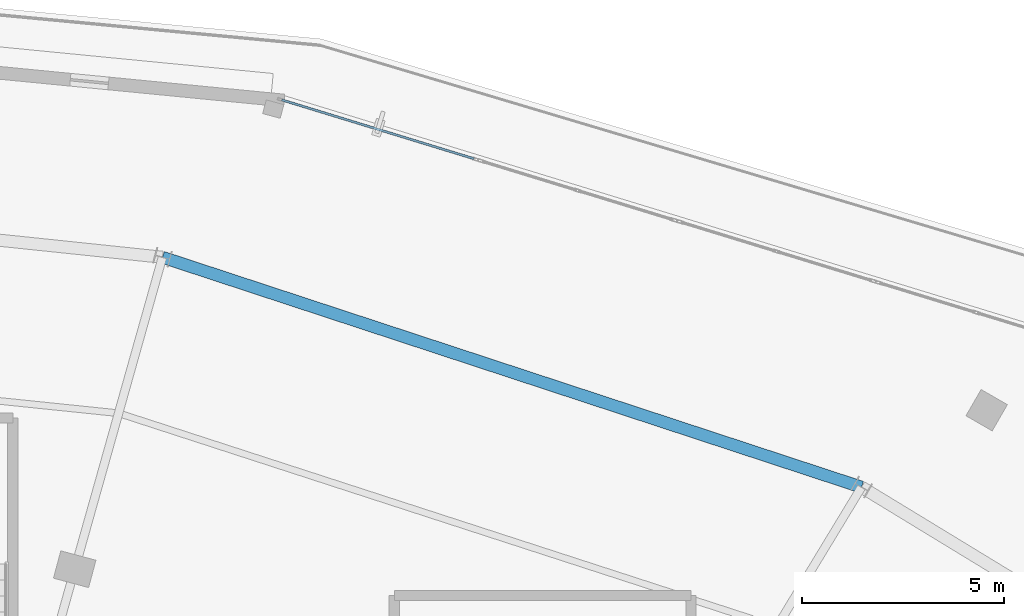
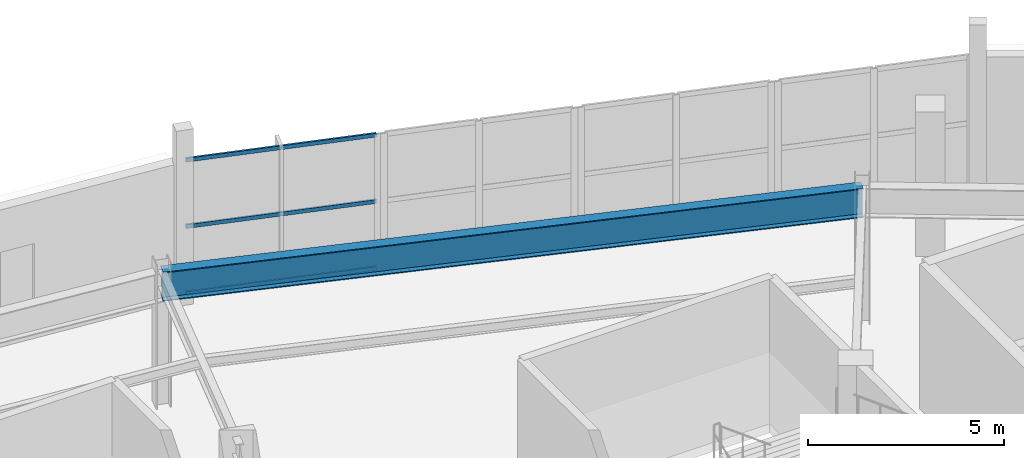
# One storey, part 55 of 123: 3 members, 1 beam, 1 element without a shape of its own.
"""IFC4 building model written with IfcOpenShell, lengths in metres."""

import ifcopenshell
import ifcopenshell.guid

model = None  # the IFC model being written
_history = None  # IfcOwnerHistory: only IFC2X3 demands one
_inside = {}  # id of a spatial element -> (the spatial element, [elements in it])
_under = {}  # id of a project, library or spatial element -> (it, [spatial elements below it])
_declared = {}  # id of a project -> (the project, [libraries it declares])
_typed = {}  # id of a type object -> (the type object, [elements of that type])
_made_of = {}  # id of a material, layer set ... -> (it, [elements and type objects made of it])


def new_model(schema):
    """Start an empty IFC model of exactly this schema.

    Asked for "IFC4X3", IfcOpenShell would pick the latest addendum, in which some entities
    have other attributes; the version numbers below select the first issue.
    IFC2X3 requires an IfcOwnerHistory on every rooted entity: one is made here for all.
    """
    global model, _history
    if schema == "IFC4X3":
        model = ifcopenshell.file(schema_version=(4, 3, 0, 0))
    else:
        model = ifcopenshell.file(schema=schema)
    _inside.clear()
    _under.clear()
    _declared.clear()
    _typed.clear()
    _made_of.clear()
    _history = None
    if model.schema == "IFC2X3":
        org = make("IfcOrganization", Name="unknown")
        user = make(
            "IfcPersonAndOrganization",
            ThePerson=make("IfcPerson", FamilyName="unknown"),
            TheOrganization=org,
        )
        app = make(
            "IfcApplication",
            ApplicationDeveloper=org,
            Version="unknown",
            ApplicationFullName="unknown",
            ApplicationIdentifier="unknown",
        )
        _history = make(
            "IfcOwnerHistory",
            OwningUser=user,
            OwningApplication=app,
            ChangeAction="ADDED",
            CreationDate=0,
        )
    return model


def make(cls, **values):
    """One entity of the class cls with the attributes given. An attribute that is None is left unset."""
    return model.create_entity(
        cls, **{name: value for name, value in values.items() if value is not None}
    )


def rooted(cls, **values):
    """An entity with a GlobalId (a new one), such as an element, a storey or a relation."""
    return make(cls, GlobalId=ifcopenshell.guid.new(), OwnerHistory=_history, **values)


def si_unit(unit_type, name, prefix=None):
    """IfcSIUnit, for example si_unit("LENGTHUNIT", "METRE", prefix="MILLI")."""
    return make("IfcSIUnit", UnitType=unit_type, Prefix=prefix, Name=name)


def assignment(units):
    """IfcUnitAssignment: the units of a project."""
    return None if units is None else make("IfcUnitAssignment", Units=units)


def point(xyz):
    """IfcCartesianPoint."""
    return None if xyz is None else make("IfcCartesianPoint", Coordinates=xyz)


def direction(xyz):
    """IfcDirection."""
    return None if xyz is None else make("IfcDirection", DirectionRatios=xyz)


def frame(location, z_axis=None, x_axis=None):
    """IfcAxis2Placement3D, a coordinate frame: its origin and axes. An axis left out is left unset."""
    return make(
        "IfcAxis2Placement3D",
        Location=point(location),
        Axis=direction(z_axis),
        RefDirection=direction(x_axis),
    )


def frame_2d(location, x_axis=None):
    """IfcAxis2Placement2D, a coordinate frame in the plane: its origin and x axis."""
    return make(
        "IfcAxis2Placement2D", Location=point(location), RefDirection=direction(x_axis)
    )


def origin():
    """The frame at (0, 0, 0) with its axes left unset."""
    return frame((0.0, 0.0, 0.0))


def origin_2d():
    """The frame at (0, 0) in the plane with its x axis left unset."""
    return frame_2d((0.0, 0.0))


def place(relative_to, where):
    """IfcLocalPlacement: puts the frame where relative to a parent placement (None: the world)."""
    return make(
        "IfcLocalPlacement", PlacementRelTo=relative_to, RelativePlacement=where
    )


def context(
    kind, dimensions, precision=None, world=None, true_north=None, identifier=None
):
    """IfcGeometricRepresentationContext, for example the 3D "Model" context."""
    return make(
        "IfcGeometricRepresentationContext",
        ContextIdentifier=identifier,
        ContextType=kind,
        CoordinateSpaceDimension=dimensions,
        Precision=precision,
        WorldCoordinateSystem=world,
        TrueNorth=true_north,
    )


def subcontext(parent, identifier, kind, view, scale=None):
    """IfcGeometricRepresentationSubContext, for example "Body" below "Model"."""
    return make(
        "IfcGeometricRepresentationSubContext",
        ContextIdentifier=identifier,
        ContextType=kind,
        ParentContext=parent,
        TargetScale=scale,
        TargetView=view,
    )


def project(units=None, contexts=None):
    """IfcProject with its units and contexts."""
    return rooted(
        "IfcProject",
        Name="project",
        RepresentationContexts=contexts,
        UnitsInContext=assignment(units),
    )


def spatial(cls, under=None, at=None, **own):
    """A site, building, storey or space (cls), placed at a placement, below another one or the project."""
    s = rooted(cls, ObjectPlacement=at, **own)
    if under is not None:
        _under.setdefault(under.id(), (under, []))[1].append(s)
    return s


def profile(cls, at=None, kind="AREA", **sizes):
    """A parametric profile (cls). Its sizes go by their IFC names, for example OverallWidth=200.0."""
    return make(cls, ProfileType=kind, Position=at, **sizes)


def hollow_rectangle(**sizes):
    """IfcRectangleHollowProfileDef."""
    return profile("IfcRectangleHollowProfileDef", **sizes)


def i_section(**sizes):
    """IfcIShapeProfileDef."""
    return profile("IfcIShapeProfileDef", **sizes)


def extrude(swept, where, along, depth):
    """IfcExtrudedAreaSolid: the profile swept, set in the frame where, extruded along a direction by depth."""
    return make(
        "IfcExtrudedAreaSolid",
        SweptArea=swept,
        Position=where,
        ExtrudedDirection=direction(along),
        Depth=depth,
    )


def shape(context_of_items, identifier, shape_type, items):
    """IfcShapeRepresentation: the items that make up one representation, for example the "Body"."""
    return make(
        "IfcShapeRepresentation",
        ContextOfItems=context_of_items,
        RepresentationIdentifier=identifier,
        RepresentationType=shape_type,
        Items=items,
    )


def material(Name=None, Category=None):
    """IfcMaterial."""
    return make("IfcMaterial", Name=Name, Category=Category)


def layer(
    of_material, thickness, ventilated=None, Name=None, Category=None, Priority=None
):
    """IfcMaterialLayer: one layer of a wall or slab, of a material (None: an air gap)."""
    return make(
        "IfcMaterialLayer",
        Material=of_material,
        LayerThickness=thickness,
        IsVentilated=ventilated,
        Name=Name,
        Category=Category,
        Priority=Priority,
    )


def layer_set(layers, Name=None):
    """IfcMaterialLayerSet."""
    return make("IfcMaterialLayerSet", MaterialLayers=layers, LayerSetName=Name)


def material_profile(
    of_material, cross_section, Name=None, Category=None, Priority=None
):
    """IfcMaterialProfile: a cross section and its material."""
    return make(
        "IfcMaterialProfile",
        Name=Name,
        Material=of_material,
        Profile=cross_section,
        Priority=Priority,
        Category=Category,
    )


def profile_set(profiles, Name=None, composite=None):
    """IfcMaterialProfileSet."""
    return make(
        "IfcMaterialProfileSet",
        Name=Name,
        MaterialProfiles=profiles,
        CompositeProfile=composite,
    )


def made_of(thing, what):
    """Note that an element or type object is made of a material, layer set ...; save() writes the relation."""
    if what is not None:
        _made_of.setdefault(what.id(), (what, []))[1].append(thing)
    return thing


def type_object(cls, material=None, **own):
    """A type object (cls), such as IfcWallType, which elements share."""
    return made_of(rooted(cls, **own), material)


def element(
    cls,
    number,
    at=None,
    inside=None,
    cuts=None,
    type_object=None,
    material=None,
    context=None,
    identifier="Body",
    shape_type=None,
    held_by="IfcProductDefinitionShape",
    body=None,
    shapes=None,
    **own,
):
    """One element of the class cls, such as IfcWall. Its Tag is "e" and its number.

    at: its placement. inside: the storey or other place that contains it. cuts: it is an
    opening in that element (IfcRelVoidsElement). A single representation is given by context,
    identifier, shape_type and body (its items); several are given by shapes. held_by: the class
    of the entity that holds the representations. save() writes the other relations.
    """
    e = rooted(cls, Tag="e%d" % number, ObjectPlacement=at, **own)
    if body is not None:
        shapes = [shape(context, identifier, shape_type, body)]
    if shapes is not None:
        e.Representation = make(held_by, Representations=shapes)
    if inside is not None:
        _inside.setdefault(inside.id(), (inside, []))[1].append(e)
    if cuts is not None:
        rooted(
            "IfcRelVoidsElement", RelatingBuildingElement=cuts, RelatedOpeningElement=e
        )
    if type_object is not None:
        _typed.setdefault(type_object.id(), (type_object, []))[1].append(e)
    return made_of(e, material)


def aggregate(whole, parts):
    """IfcRelAggregates: a whole, such as a stair, and the parts it consists of."""
    return rooted("IfcRelAggregates", RelatingObject=whole, RelatedObjects=parts)


def save(model, path):
    """Write the relations noted so far, then the file.

    IfcRelAggregates (storeys below a building ...), IfcRelContainedInSpatialStructure (elements
    in a storey), IfcRelDefinesByType, IfcRelAssociatesMaterial and IfcRelDeclares: one each for
    every whole, place, type object, material and project.
    """
    for whole, parts in _under.values():
        aggregate(whole, parts)
    for where, things in _inside.values():
        rooted(
            "IfcRelContainedInSpatialStructure",
            RelatedElements=things,
            RelatingStructure=where,
        )
    for kind, things in _typed.values():
        rooted("IfcRelDefinesByType", RelatedObjects=things, RelatingType=kind)
    for what, things in _made_of.values():
        rooted("IfcRelAssociatesMaterial", RelatedObjects=things, RelatingMaterial=what)
    for by, libraries in _declared.values():
        rooted("IfcRelDeclares", RelatingContext=by, RelatedDefinitions=libraries)
    model.write(path)


model = new_model("IFC4")

# Units and contexts
model_context = context("Model", 3, precision=1e-05, world=origin(), true_north=direction((0.0, 1.0)))
body_context = subcontext(model_context, "Body", "Model", "MODEL_VIEW")
ifc_project = project(units=[si_unit("LENGTHUNIT", "METRE"), si_unit("AREAUNIT", "SQUARE_METRE"), si_unit("VOLUMEUNIT", "CUBIC_METRE"), si_unit("PLANEANGLEUNIT", "RADIAN"), si_unit("MASSUNIT", "GRAM", prefix="KILO")], contexts=[model_context])

# Site, building, storey
site_placement = place(None, origin())
site = spatial("IfcSite", under=ifc_project, at=site_placement, CompositionType="ELEMENT")
building_placement = place(site_placement, origin())
building = spatial("IfcBuilding", under=site, at=building_placement, Name="Kalgoora Escarpment Arena", CompositionType="ELEMENT")
storey_placement = place(building_placement, frame((0.0, 0.0, 9.89990234375)))
storey = spatial("IfcBuildingStorey", under=building, at=storey_placement, Name="L02", CompositionType="ELEMENT", Elevation=9.89990234375)

# Beam
ifc_material_1 = material(Name="Structural steel Grade 350 (350 MPa)", Category="steel")
ifc_material_profile_1 = material_profile(ifc_material_1, i_section(OverallWidth=0.300048828125, OverallDepth=0.909912109375, WebThickness=0.011962890625, FlangeThickness=0.028076171875, at=origin_2d()))
ifc_profile_set_1 = profile_set([ifc_material_profile_1], Name="Structural steel Grade 350 (350 MPa)")
beam_type = type_object("IfcBeamType", Name="BM-SPANDREL-900WB218", PredefinedType="SPANDREL", material=ifc_profile_set_1)
beam_placement = place(storey_placement, frame((128.300048828125, 113.36328125, 3.7451171875), z_axis=(-0.949954555117, 0.312388129115, 0.0), x_axis=(-0.312388129115, -0.949954555117, 0.0)))
element("IfcBeam", 1, at=beam_placement, inside=storey, type_object=beam_type, Name="L02 Circumferential concourse girder RCONC2 900WB218", PredefinedType="SPANDREL", context=body_context, shape_type="SweptSolid", body=[
    extrude(i_section(OverallWidth=0.300048828125, OverallDepth=0.909912109375, WebThickness=0.011962890625, FlangeThickness=0.028076171875, at=origin_2d()), origin(), (0.0, 0.0, 1.0), 18.229248046875),
])

# Curtain wall, members
ifc_material_2 = material(Name=" Champagne anodised aluminium & double-glazed low-E", Category="aluminium")
ifc_layer = layer(ifc_material_2, 0.14990234375)
ifc_layer_set = layer_set([ifc_layer], Name="CW-UNIT-20")
curtain_wall_type = type_object("IfcCurtainWallType", Name="CW-UNIT-20", PredefinedType="NOTDEFINED", material=ifc_layer_set)
curtain_wall_placement = place(storey_placement, origin())
curtain_wall = element("IfcCurtainWall", 2, at=curtain_wall_placement, inside=storey, type_object=curtain_wall_type, Name="L02 unitised facade curtain wall 079", PredefinedType="NOTDEFINED")
ifc_material_3 = material(Name="Anodised aluminium 6063-T6", Category="aluminium")
ifc_material_profile_2 = material_profile(ifc_material_3, hollow_rectangle(XDim=0.054931640625, YDim=0.1201171875, WallThickness=0.003173828125, at=origin_2d()))
ifc_profile_set_2 = profile_set([ifc_material_profile_2], Name="Anodised aluminium 6063-T6")
member_type = type_object("IfcMemberType", Name="MEM-CW-TRAN-120", PredefinedType="USERDEFINED", material=ifc_profile_set_2)
member_1_placement = place(storey_placement, frame((113.9375, 122.956298828125, 0.047607421875), z_axis=(0.956189314528, -0.292749030368, 0.0), x_axis=(0.292749030368, 0.956189314528, 0.0)))
member_1 = element("IfcMember", 3, at=member_1_placement, type_object=member_type, Name="CW-20 transom 1.1", ObjectType="TRANSOM", PredefinedType="USERDEFINED", context=body_context, shape_type="SweptSolid", body=[
    extrude(hollow_rectangle(XDim=0.054931640625, YDim=0.1201171875, WallThickness=0.003173828125, at=origin_2d()), origin(), (0.0, 0.0, 1.0), 4.98046875),
])
member_2_placement = place(storey_placement, frame((113.9375, 122.956298828125, 2.132568359375), z_axis=(0.956189314528, -0.292749030368, 0.0), x_axis=(0.292749030368, 0.956189314528, 0.0)))
member_2 = element("IfcMember", 4, at=member_2_placement, type_object=member_type, Name="CW-20 transom 1.2", ObjectType="TRANSOM", PredefinedType="USERDEFINED", context=body_context, shape_type="SweptSolid", body=[
    extrude(hollow_rectangle(XDim=0.054931640625, YDim=0.1201171875, WallThickness=0.003173828125, at=origin_2d()), origin(), (0.0, 0.0, 1.0), 4.98046875),
])
member_3_placement = place(storey_placement, frame((113.9375, 122.956298828125, 4.197509765625), z_axis=(0.956189314528, -0.292749030368, 0.0), x_axis=(0.292749030368, 0.956189314528, 0.0)))
member_3 = element("IfcMember", 5, at=member_3_placement, type_object=member_type, Name="CW-20 transom 1.3", ObjectType="TRANSOM", PredefinedType="USERDEFINED", context=body_context, shape_type="SweptSolid", body=[
    extrude(hollow_rectangle(XDim=0.054931640625, YDim=0.1201171875, WallThickness=0.003173828125, at=origin_2d()), origin(), (0.0, 0.0, 1.0), 4.98046875),
])
aggregate(curtain_wall, [member_1, member_2, member_3])

save(model, "model.ifc")
